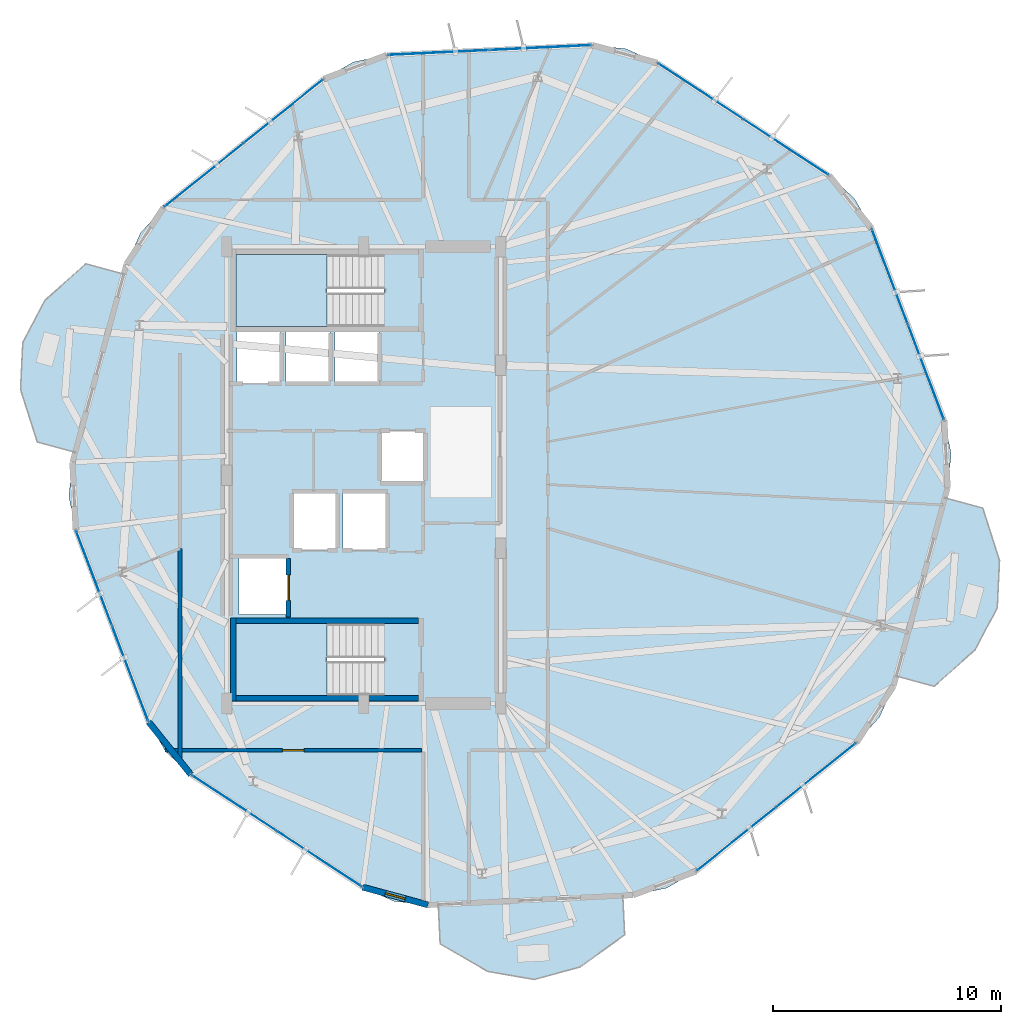
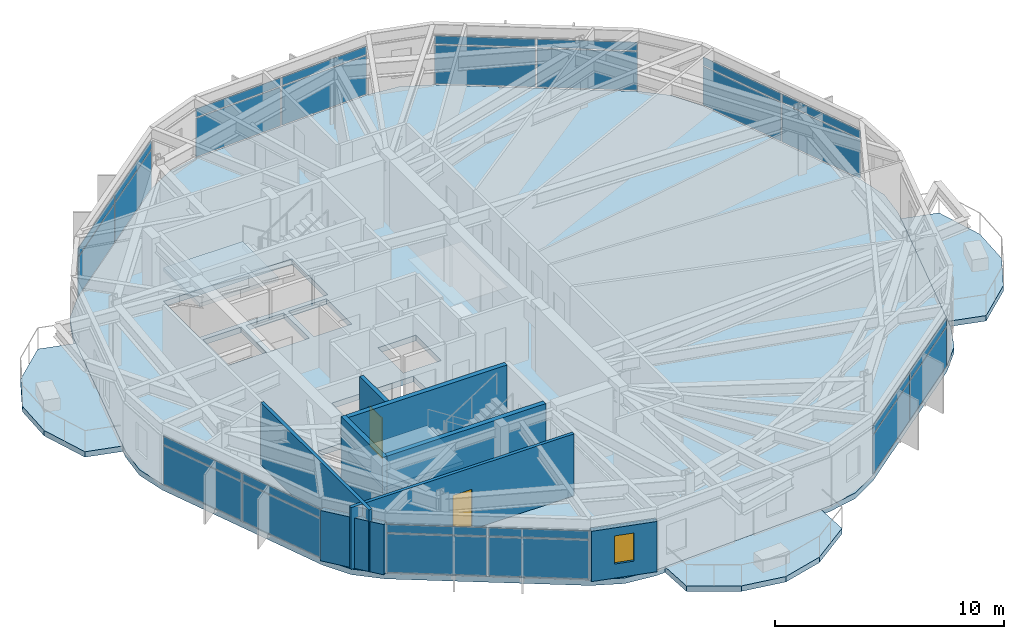
# One storey, part 17 of 23: 28 plates, 8 walls, 6 slabs, 2 doors, 1 window, 3 openings, 9 elements without a shape of their own.
"""IFC4 building model written with IfcOpenShell, lengths in metres."""

from ifc_helpers import new_model, si_unit, direction, frame, frame_2d, origin, origin_2d, place, context, subcontext, project, spatial, polyline, rectangle, outline, extrude, material, layer, layer_set, type_object, element, fill, aggregate, save


model = new_model("IFC4")

# Units and contexts
model_context = context("Model", 3, precision=1e-05, world=origin(), true_north=direction((0.0, 1.0)))
body_context = subcontext(model_context, "Body", "Model", "MODEL_VIEW")
ifc_project = project(units=[si_unit("LENGTHUNIT", "METRE"), si_unit("AREAUNIT", "SQUARE_METRE"), si_unit("VOLUMEUNIT", "CUBIC_METRE"), si_unit("PLANEANGLEUNIT", "RADIAN"), si_unit("MASSUNIT", "GRAM", prefix="KILO")], contexts=[model_context])

# Site, building, storey
site_placement = place(None, origin())
site = spatial("IfcSite", under=ifc_project, at=site_placement, CompositionType="ELEMENT")
building_placement = place(site_placement, origin())
building = spatial("IfcBuilding", under=site, at=building_placement, Name="Soratama Intermodal Tower", CompositionType="ELEMENT")
storey_placement = place(building_placement, frame((0.0, 0.0, 175.0)))
storey = spatial("IfcBuildingStorey", under=building, at=storey_placement, Name="L43", CompositionType="ELEMENT", Elevation=175.0)

# Curtain wall, plates
ifc_material_1 = material(Name="Double-glazed aluminium curtain wall", Category="aluminium")
ifc_layer_1 = layer(ifc_material_1, 0.159912109375)
ifc_layer_set_1 = layer_set([ifc_layer_1], Name="Double-glazed aluminium curtain wall")
curtain_wall_type = type_object("IfcCurtainWallType", Name="CW-SYS-4", PredefinedType="NOTDEFINED", material=ifc_layer_set_1)
curtain_wall_1_placement = place(storey_placement, origin())
curtain_wall_1 = element("IfcCurtainWall", 1, at=curtain_wall_1_placement, inside=storey, type_object=curtain_wall_type, Name="L43 Faceted Curtain Wall F01", PredefinedType="NOTDEFINED")
ifc_material_2 = material(Name="Low-E laminated double glazing", Category="glass")
ifc_layer_2 = layer(ifc_material_2, 0.02392578125)
ifc_layer_set_2 = layer_set([ifc_layer_2], Name="Low-E laminated double glazing")
plate_type = type_object("IfcPlateType", Name="PT-CWP-4", PredefinedType="CURTAIN_PANEL", material=ifc_layer_set_2)
plate_1_placement = place(storey_placement, frame((57.0771484375, 39.356689453125, 0.06005859375), z_axis=(0.0, 0.0, 1.0), x_axis=(-0.836385304133, 0.548141973426, 0.0)))
plate_1 = element("IfcPlate", 2, at=plate_1_placement, type_object=plate_type, Name="CW-4 panel 1.1", PredefinedType="CURTAIN_PANEL", context=body_context, shape_type="SweptSolid", body=[
    extrude(rectangle(XDim=4.40283203125, YDim=0.028076171875, at=origin_2d()), origin(), (0.0, 0.0, 1.0), 2.06005859375),
])
plate_2_placement = place(storey_placement, frame((57.0771484375, 39.356689453125, 2.179931640625), z_axis=(0.0, 0.0, 1.0), x_axis=(-0.836385304133, 0.548141973426, 0.0)))
plate_2 = element("IfcPlate", 3, at=plate_2_placement, type_object=plate_type, Name="CW-4 panel 1.2", PredefinedType="CURTAIN_PANEL", context=body_context, shape_type="SweptSolid", body=[
    extrude(rectangle(XDim=4.40283203125, YDim=0.028076171875, at=origin_2d()), origin(), (0.0, 0.0, 1.0), 0.43896484375),
])
plate_3_placement = place(storey_placement, frame((53.34423828125, 41.802978515625, 0.06005859375), z_axis=(0.0, 0.0, 1.0), x_axis=(-0.836385304133, 0.548141973426, 0.0)))
plate_3 = element("IfcPlate", 4, at=plate_3_placement, type_object=plate_type, Name="CW-4 panel 2.1", PredefinedType="CURTAIN_PANEL", context=body_context, shape_type="SweptSolid", body=[
    extrude(rectangle(XDim=4.40283203125, YDim=0.028076171875, at=origin_2d()), origin(), (0.0, 0.0, 1.0), 2.06005859375),
])
plate_4_placement = place(storey_placement, frame((53.34423828125, 41.802978515625, 2.179931640625), z_axis=(0.0, 0.0, 1.0), x_axis=(-0.836385304133, 0.548141973426, 0.0)))
plate_4 = element("IfcPlate", 5, at=plate_4_placement, type_object=plate_type, Name="CW-4 panel 2.2", PredefinedType="CURTAIN_PANEL", context=body_context, shape_type="SweptSolid", body=[
    extrude(rectangle(XDim=4.40283203125, YDim=0.028076171875, at=origin_2d()), origin(), (0.0, 0.0, 1.0), 0.43896484375),
])
aggregate(curtain_wall_1, [plate_1, plate_2, plate_3, plate_4])

curtain_wall_2_placement = place(storey_placement, origin())
curtain_wall_2 = element("IfcCurtainWall", 6, at=curtain_wall_2_placement, inside=storey, type_object=curtain_wall_type, Name="L43 Faceted Curtain Wall F02", PredefinedType="NOTDEFINED")
plate_5_placement = place(storey_placement, frame((46.331787109375, 43.713623046875, 0.06005859375), z_axis=(0.0, 0.0, 1.0), x_axis=(-0.998839915544, -0.048154159913, 0.0)))
plate_5 = element("IfcPlate", 7, at=plate_5_placement, type_object=plate_type, Name="CW-4 panel 1.1", PredefinedType="CURTAIN_PANEL", context=body_context, shape_type="SweptSolid", body=[
    extrude(rectangle(XDim=4.40283203125, YDim=0.028076171875, at=origin_2d()), origin(), (0.0, 0.0, 1.0), 2.06005859375),
])
plate_6_placement = place(storey_placement, frame((46.331787109375, 43.713623046875, 2.179931640625), z_axis=(0.0, 0.0, 1.0), x_axis=(-0.998839915544, -0.048154159913, 0.0)))
plate_6 = element("IfcPlate", 8, at=plate_6_placement, type_object=plate_type, Name="CW-4 panel 1.2", PredefinedType="CURTAIN_PANEL", context=body_context, shape_type="SweptSolid", body=[
    extrude(rectangle(XDim=4.40283203125, YDim=0.028076171875, at=origin_2d()), origin(), (0.0, 0.0, 1.0), 0.43896484375),
])
plate_7_placement = place(storey_placement, frame((41.874267578125, 43.49853515625, 0.06005859375), z_axis=(0.0, 0.0, 1.0), x_axis=(-0.998839915544, -0.048154159913, 0.0)))
plate_7 = element("IfcPlate", 9, at=plate_7_placement, type_object=plate_type, Name="CW-4 panel 2.1", PredefinedType="CURTAIN_PANEL", context=body_context, shape_type="SweptSolid", body=[
    extrude(rectangle(XDim=4.40283203125, YDim=0.028076171875, at=origin_2d()), origin(), (0.0, 0.0, 1.0), 2.06005859375),
])
plate_8_placement = place(storey_placement, frame((41.874267578125, 43.49853515625, 2.179931640625), z_axis=(0.0, 0.0, 1.0), x_axis=(-0.998839915544, -0.048154159913, 0.0)))
plate_8 = element("IfcPlate", 10, at=plate_8_placement, type_object=plate_type, Name="CW-4 panel 2.2", PredefinedType="CURTAIN_PANEL", context=body_context, shape_type="SweptSolid", body=[
    extrude(rectangle(XDim=4.40283203125, YDim=0.028076171875, at=origin_2d()), origin(), (0.0, 0.0, 1.0), 0.43896484375),
])
aggregate(curtain_wall_2, [plate_5, plate_6, plate_7, plate_8])

curtain_wall_3_placement = place(storey_placement, origin())
curtain_wall_3 = element("IfcCurtainWall", 11, at=curtain_wall_3_placement, inside=storey, type_object=curtain_wall_type, Name="L43 Faceted Curtain Wall F03", PredefinedType="NOTDEFINED")
plate_9_placement = place(storey_placement, frame((35.077880859375, 40.92236328125, 0.06005859375), z_axis=(0.0, 0.0, 1.0), x_axis=(-0.779777549938, -0.626056684823, 0.0)))
plate_9 = element("IfcPlate", 12, at=plate_9_placement, type_object=plate_type, Name="CW-4 panel 1.1", PredefinedType="CURTAIN_PANEL", context=body_context, shape_type="SweptSolid", body=[
    extrude(rectangle(XDim=4.40283203125, YDim=0.028076171875, at=origin_2d()), origin(), (0.0, 0.0, 1.0), 2.06005859375),
])
plate_10_placement = place(storey_placement, frame((35.077880859375, 40.92236328125, 2.179931640625), z_axis=(0.0, 0.0, 1.0), x_axis=(-0.779777549938, -0.626056684823, 0.0)))
plate_10 = element("IfcPlate", 13, at=plate_10_placement, type_object=plate_type, Name="CW-4 panel 1.2", PredefinedType="CURTAIN_PANEL", context=body_context, shape_type="SweptSolid", body=[
    extrude(rectangle(XDim=4.40283203125, YDim=0.028076171875, at=origin_2d()), origin(), (0.0, 0.0, 1.0), 0.43896484375),
])
plate_11_placement = place(storey_placement, frame((31.597900390625, 38.12841796875, 0.06005859375), z_axis=(0.0, 0.0, 1.0), x_axis=(-0.779777549938, -0.626056684823, 0.0)))
plate_11 = element("IfcPlate", 14, at=plate_11_placement, type_object=plate_type, Name="CW-4 panel 2.1", PredefinedType="CURTAIN_PANEL", context=body_context, shape_type="SweptSolid", body=[
    extrude(rectangle(XDim=4.40283203125, YDim=0.028076171875, at=origin_2d()), origin(), (0.0, 0.0, 1.0), 2.06005859375),
])
plate_12_placement = place(storey_placement, frame((31.597900390625, 38.12841796875, 2.179931640625), z_axis=(0.0, 0.0, 1.0), x_axis=(-0.779777549938, -0.626056684823, 0.0)))
plate_12 = element("IfcPlate", 15, at=plate_12_placement, type_object=plate_type, Name="CW-4 panel 2.2", PredefinedType="CURTAIN_PANEL", context=body_context, shape_type="SweptSolid", body=[
    extrude(rectangle(XDim=4.40283203125, YDim=0.028076171875, at=origin_2d()), origin(), (0.0, 0.0, 1.0), 0.43896484375),
])
aggregate(curtain_wall_3, [plate_9, plate_10, plate_11, plate_12])

curtain_wall_4_placement = place(storey_placement, origin())
curtain_wall_4 = element("IfcCurtainWall", 16, at=curtain_wall_4_placement, inside=storey, type_object=curtain_wall_type, Name="L43 Faceted Curtain Wall F05", PredefinedType="NOTDEFINED")
plate_13_placement = place(storey_placement, frame((26.790771484375, 20.48388671875, 0.06005859375), z_axis=(0.0, 0.0, 1.0), x_axis=(0.354461659972, -0.935070549002, 0.0)))
plate_13 = element("IfcPlate", 17, at=plate_13_placement, type_object=plate_type, Name="CW-4 panel 1.1", PredefinedType="CURTAIN_PANEL", context=body_context, shape_type="SweptSolid", body=[
    extrude(rectangle(XDim=4.40283203125, YDim=0.028076171875, at=origin_2d()), origin(), (0.0, 0.0, 1.0), 2.06005859375),
])
plate_14_placement = place(storey_placement, frame((26.790771484375, 20.48388671875, 2.179931640625), z_axis=(0.0, 0.0, 1.0), x_axis=(0.354461659972, -0.935070549002, 0.0)))
plate_14 = element("IfcPlate", 18, at=plate_14_placement, type_object=plate_type, Name="CW-4 panel 1.2", PredefinedType="CURTAIN_PANEL", context=body_context, shape_type="SweptSolid", body=[
    extrude(rectangle(XDim=4.40283203125, YDim=0.028076171875, at=origin_2d()), origin(), (0.0, 0.0, 1.0), 0.43896484375),
])
plate_15_placement = place(storey_placement, frame((28.372802734375, 16.310791015625, 0.06005859375), z_axis=(0.0, 0.0, 1.0), x_axis=(0.354461659972, -0.935070549002, 0.0)))
plate_15 = element("IfcPlate", 19, at=plate_15_placement, type_object=plate_type, Name="CW-4 panel 2.1", PredefinedType="CURTAIN_PANEL", context=body_context, shape_type="SweptSolid", body=[
    extrude(rectangle(XDim=4.40283203125, YDim=0.028076171875, at=origin_2d()), origin(), (0.0, 0.0, 1.0), 2.06005859375),
])
plate_16_placement = place(storey_placement, frame((28.372802734375, 16.310791015625, 2.179931640625), z_axis=(0.0, 0.0, 1.0), x_axis=(0.354461659972, -0.935070549002, 0.0)))
plate_16 = element("IfcPlate", 20, at=plate_16_placement, type_object=plate_type, Name="CW-4 panel 2.2", PredefinedType="CURTAIN_PANEL", context=body_context, shape_type="SweptSolid", body=[
    extrude(rectangle(XDim=4.40283203125, YDim=0.028076171875, at=origin_2d()), origin(), (0.0, 0.0, 1.0), 0.43896484375),
])
aggregate(curtain_wall_4, [plate_13, plate_14, plate_15, plate_16])

curtain_wall_5_placement = place(storey_placement, origin())
curtain_wall_5 = element("IfcCurtainWall", 21, at=curtain_wall_5_placement, inside=storey, type_object=curtain_wall_type, Name="L43 Faceted Curtain Wall F06", PredefinedType="NOTDEFINED")
plate_17_placement = place(storey_placement, frame((32.9228515625, 10.643310546875, 0.06005859375), z_axis=(0.0, 0.0, 1.0), x_axis=(0.836385304133, -0.548141973426, 0.0)))
plate_17 = element("IfcPlate", 22, at=plate_17_placement, type_object=plate_type, Name="CW-4 panel 1.1", PredefinedType="CURTAIN_PANEL", context=body_context, shape_type="SweptSolid", body=[
    extrude(rectangle(XDim=4.40283203125, YDim=0.028076171875, at=origin_2d()), origin(), (0.0, 0.0, 1.0), 2.06005859375),
])
plate_18_placement = place(storey_placement, frame((32.9228515625, 10.643310546875, 2.179931640625), z_axis=(0.0, 0.0, 1.0), x_axis=(0.836385304133, -0.548141973426, 0.0)))
plate_18 = element("IfcPlate", 23, at=plate_18_placement, type_object=plate_type, Name="CW-4 panel 1.2", PredefinedType="CURTAIN_PANEL", context=body_context, shape_type="SweptSolid", body=[
    extrude(rectangle(XDim=4.40283203125, YDim=0.028076171875, at=origin_2d()), origin(), (0.0, 0.0, 1.0), 0.43896484375),
])
plate_19_placement = place(storey_placement, frame((36.65576171875, 8.197021484375, 0.06005859375), z_axis=(0.0, 0.0, 1.0), x_axis=(0.836385304133, -0.548141973426, 0.0)))
plate_19 = element("IfcPlate", 24, at=plate_19_placement, type_object=plate_type, Name="CW-4 panel 2.1", PredefinedType="CURTAIN_PANEL", context=body_context, shape_type="SweptSolid", body=[
    extrude(rectangle(XDim=4.40283203125, YDim=0.028076171875, at=origin_2d()), origin(), (0.0, 0.0, 1.0), 2.06005859375),
])
plate_20_placement = place(storey_placement, frame((36.65576171875, 8.197021484375, 2.179931640625), z_axis=(0.0, 0.0, 1.0), x_axis=(0.836385304133, -0.548141973426, 0.0)))
plate_20 = element("IfcPlate", 25, at=plate_20_placement, type_object=plate_type, Name="CW-4 panel 2.2", PredefinedType="CURTAIN_PANEL", context=body_context, shape_type="SweptSolid", body=[
    extrude(rectangle(XDim=4.40283203125, YDim=0.028076171875, at=origin_2d()), origin(), (0.0, 0.0, 1.0), 0.43896484375),
])
aggregate(curtain_wall_5, [plate_17, plate_18, plate_19, plate_20])

curtain_wall_6_placement = place(storey_placement, origin())
curtain_wall_6 = element("IfcCurtainWall", 26, at=curtain_wall_6_placement, inside=storey, type_object=curtain_wall_type, Name="L43 Faceted Curtain Wall F08", PredefinedType="NOTDEFINED")
plate_21_placement = place(storey_placement, frame((54.922119140625, 9.07763671875, 0.06005859375), z_axis=(0.0, 0.0, 1.0), x_axis=(0.779777549938, 0.626056684823, 0.0)))
plate_21 = element("IfcPlate", 27, at=plate_21_placement, type_object=plate_type, Name="CW-4 panel 1.1", PredefinedType="CURTAIN_PANEL", context=body_context, shape_type="SweptSolid", body=[
    extrude(rectangle(XDim=4.40283203125, YDim=0.028076171875, at=origin_2d()), origin(), (0.0, 0.0, 1.0), 2.06005859375),
])
plate_22_placement = place(storey_placement, frame((54.922119140625, 9.07763671875, 2.179931640625), z_axis=(0.0, 0.0, 1.0), x_axis=(0.779777549938, 0.626056684823, 0.0)))
plate_22 = element("IfcPlate", 28, at=plate_22_placement, type_object=plate_type, Name="CW-4 panel 1.2", PredefinedType="CURTAIN_PANEL", context=body_context, shape_type="SweptSolid", body=[
    extrude(rectangle(XDim=4.40283203125, YDim=0.028076171875, at=origin_2d()), origin(), (0.0, 0.0, 1.0), 0.43896484375),
])
plate_23_placement = place(storey_placement, frame((58.402099609375, 11.87158203125, 0.06005859375), z_axis=(0.0, 0.0, 1.0), x_axis=(0.779777549938, 0.626056684823, 0.0)))
plate_23 = element("IfcPlate", 29, at=plate_23_placement, type_object=plate_type, Name="CW-4 panel 2.1", PredefinedType="CURTAIN_PANEL", context=body_context, shape_type="SweptSolid", body=[
    extrude(rectangle(XDim=4.40283203125, YDim=0.028076171875, at=origin_2d()), origin(), (0.0, 0.0, 1.0), 2.06005859375),
])
plate_24_placement = place(storey_placement, frame((58.402099609375, 11.87158203125, 2.179931640625), z_axis=(0.0, 0.0, 1.0), x_axis=(0.779777549938, 0.626056684823, 0.0)))
plate_24 = element("IfcPlate", 30, at=plate_24_placement, type_object=plate_type, Name="CW-4 panel 2.2", PredefinedType="CURTAIN_PANEL", context=body_context, shape_type="SweptSolid", body=[
    extrude(rectangle(XDim=4.40283203125, YDim=0.028076171875, at=origin_2d()), origin(), (0.0, 0.0, 1.0), 0.43896484375),
])
aggregate(curtain_wall_6, [plate_21, plate_22, plate_23, plate_24])

curtain_wall_7_placement = place(storey_placement, origin())
curtain_wall_7 = element("IfcCurtainWall", 31, at=curtain_wall_7_placement, inside=storey, type_object=curtain_wall_type, Name="L43 Faceted Curtain Wall F10", PredefinedType="NOTDEFINED")
plate_25_placement = place(storey_placement, frame((63.209228515625, 29.51611328125, 0.06005859375), z_axis=(0.0, 0.0, 1.0), x_axis=(-0.354461659972, 0.935070549002, 0.0)))
plate_25 = element("IfcPlate", 32, at=plate_25_placement, type_object=plate_type, Name="CW-4 panel 1.1", PredefinedType="CURTAIN_PANEL", context=body_context, shape_type="SweptSolid", body=[
    extrude(rectangle(XDim=4.40283203125, YDim=0.028076171875, at=origin_2d()), origin(), (0.0, 0.0, 1.0), 2.06005859375),
])
plate_26_placement = place(storey_placement, frame((63.209228515625, 29.51611328125, 2.179931640625), z_axis=(0.0, 0.0, 1.0), x_axis=(-0.354461659972, 0.935070549002, 0.0)))
plate_26 = element("IfcPlate", 33, at=plate_26_placement, type_object=plate_type, Name="CW-4 panel 1.2", PredefinedType="CURTAIN_PANEL", context=body_context, shape_type="SweptSolid", body=[
    extrude(rectangle(XDim=4.40283203125, YDim=0.028076171875, at=origin_2d()), origin(), (0.0, 0.0, 1.0), 0.43896484375),
])
plate_27_placement = place(storey_placement, frame((61.627197265625, 33.689208984375, 0.06005859375), z_axis=(0.0, 0.0, 1.0), x_axis=(-0.354461659972, 0.935070549002, 0.0)))
plate_27 = element("IfcPlate", 34, at=plate_27_placement, type_object=plate_type, Name="CW-4 panel 2.1", PredefinedType="CURTAIN_PANEL", context=body_context, shape_type="SweptSolid", body=[
    extrude(rectangle(XDim=4.40283203125, YDim=0.028076171875, at=origin_2d()), origin(), (0.0, 0.0, 1.0), 2.06005859375),
])
plate_28_placement = place(storey_placement, frame((61.627197265625, 33.689208984375, 2.179931640625), z_axis=(0.0, 0.0, 1.0), x_axis=(-0.354461659972, 0.935070549002, 0.0)))
plate_28 = element("IfcPlate", 35, at=plate_28_placement, type_object=plate_type, Name="CW-4 panel 2.2", PredefinedType="CURTAIN_PANEL", context=body_context, shape_type="SweptSolid", body=[
    extrude(rectangle(XDim=4.40283203125, YDim=0.028076171875, at=origin_2d()), origin(), (0.0, 0.0, 1.0), 0.43896484375),
])
aggregate(curtain_wall_7, [plate_25, plate_26, plate_27, plate_28])

# Slabs
ifc_material_3 = material(Name="Concrete f'c 42 MPa", Category="concrete")
ifc_layer_3 = layer(ifc_material_3, 0.2900390625)
ifc_layer_set_3 = layer_set([ifc_layer_3], Name="Concrete f'c 42 MPa")
slab_type_1 = type_object("IfcSlabType", Name="SL-EXT-BAL2", PredefinedType="FLOOR", material=ifc_layer_set_3)
slab_1_placement = place(storey_placement, frame((0.0, 0.0, -0.2900390625)))
element("IfcSlab", 36, at=slab_1_placement, inside=storey, type_object=slab_type_1, Name="L43 Planted Balcony East 1", PredefinedType="FLOOR", context=body_context, shape_type="SweptSolid", body=[
    extrude(outline(polyline([(61.909912109375, 16.202880859375), (64.035400390625, 24.004150390625), (65.69482421875, 23.552001953125), (66.42822265625, 21.257080078125), (66.330078125, 19.188720703125), (65.365478515625, 17.3564453125), (63.5693359375, 15.750732421875), (61.909912109375, 16.202880859375)])), origin(), (0.0, 0.0, 1.0), 0.2900390625),
])
slab_2_placement = place(storey_placement, frame((0.0, 0.0, -0.2900390625)))
element("IfcSlab", 37, at=slab_2_placement, inside=storey, type_object=slab_type_1, Name="L43 Planted Balcony West 2", PredefinedType="FLOOR", context=body_context, shape_type="SweptSolid", body=[
    extrude(outline(polyline([(28.090087890625, 33.797119140625), (25.964599609375, 25.995849609375), (24.30517578125, 26.447998046875), (23.57177734375, 28.742919921875), (23.669921875, 30.811279296875), (24.634521484375, 32.6435546875), (26.4306640625, 34.249267578125), (28.090087890625, 33.797119140625)])), origin(), (0.0, 0.0, 1.0), 0.2900390625),
])
slab_3_placement = place(storey_placement, frame((0.0, 0.0, -0.2900390625)))
element("IfcSlab", 38, at=slab_3_placement, inside=storey, type_object=slab_type_1, Name="L43 Planted Balcony South 3", PredefinedType="FLOOR", context=body_context, shape_type="SweptSolid", body=[
    extrude(outline(polyline([(41.85888671875, 6.19921875), (49.93505859375, 6.588623046875), (50.017822265625, 4.87060546875), (48.06201171875, 3.4638671875), (46.064453125, 2.91796875), (44.023681640625, 3.269287109375), (41.941650390625, 4.481201171875), (41.85888671875, 6.19921875)])), origin(), (0.0, 0.0, 1.0), 0.2900390625),
])

# Stair, slab
ifc_material_4 = material(Name="Concrete f'c 42 MPa", Category="concrete")
stair_type = type_object("IfcStairType", Name="ST-CORE-DOGLEG", PredefinedType="HALF_TURN_STAIR", material=ifc_material_4)
stair_1_placement = place(storey_placement, origin())
stair_1 = element("IfcStair", 39, at=stair_1_placement, inside=storey, type_object=stair_type, Name="L43 ST-1", PredefinedType="HALF_TURN_STAIR")
ifc_material_5 = material(Name="Concrete f'c 42 MPa", Category="concrete")
ifc_layer_4 = layer(ifc_material_5, 0.219970703125)
ifc_layer_set_4 = layer_set([ifc_layer_4], Name="Concrete f'c 42 MPa")
slab_type_2 = type_object("IfcSlabType", Name="SL-STAIR-LAND", PredefinedType="LANDING", material=ifc_layer_set_4)
slab_4_placement = place(storey_placement, frame((0.0, 0.0, 1.60009765625)))
slab_4 = element("IfcSlab", 40, at=slab_4_placement, type_object=slab_type_2, Name="ST-1 landing 1", PredefinedType="LANDING", context=body_context, shape_type="SweptSolid", body=[
    extrude(outline(polyline([(36.97998046875, 18.5), (33.0, 18.5), (33.0, 15.35009765625), (36.97998046875, 15.35009765625), (36.97998046875, 18.5)])), origin(), (0.0, 0.0, 1.0), 0.199951171875),
])
aggregate(stair_1, [slab_4])

stair_2_placement = place(storey_placement, origin())
stair_2 = element("IfcStair", 41, at=stair_2_placement, inside=storey, type_object=stair_type, Name="L43 ST-2", PredefinedType="HALF_TURN_STAIR")
slab_5_placement = place(storey_placement, frame((0.0, 0.0, 1.60009765625)))
slab_5 = element("IfcSlab", 42, at=slab_5_placement, type_object=slab_type_2, Name="ST-2 landing 1", PredefinedType="LANDING", context=body_context, shape_type="SweptSolid", body=[
    extrude(outline(polyline([(36.97998046875, 34.64990234375), (33.0, 34.64990234375), (33.0, 31.5), (36.97998046875, 31.5), (36.97998046875, 34.64990234375)])), origin(), (0.0, 0.0, 1.0), 0.199951171875),
])
aggregate(stair_2, [slab_5])

# Slab
ifc_material_6 = material(Name="Concrete f'c 42 MPa", Category="concrete")
ifc_layer_5 = layer(ifc_material_6, 0.280029296875)
ifc_layer_set_5 = layer_set([ifc_layer_5], Name="Concrete f'c 42 MPa")
slab_type_3 = type_object("IfcSlabType", Name="SL-TWR-280", PredefinedType="FLOOR", material=ifc_layer_set_5)
slab_6_placement = place(storey_placement, frame((0.0, 0.0, -0.300048828125)))
element("IfcSlab", 43, at=slab_6_placement, inside=storey, type_object=slab_type_3, Name="L43 Structural Floor Slab", PredefinedType="FLOOR", context=body_context, shape_type="SweptSolid", body=[
    extrude(outline(polyline([(60.82568359375, 35.8037109375), (60.080322265625, 37.107421875), (58.968505859375, 38.1171875), (51.452880859375, 43.04248046875), (50.08349609375, 43.6591796875), (48.5908203125, 43.822509765625), (39.615478515625, 43.3896484375), (38.14501953125, 43.08349609375), (36.84130859375, 42.338134765625), (29.83447265625, 36.712646484375), (28.824951171875, 35.600830078125), (28.20849609375, 34.2314453125), (25.846435546875, 25.5615234375), (25.68310546875, 24.06884765625), (25.9892578125, 22.598388671875), (29.17431640625, 14.1962890625), (29.919677734375, 12.892578125), (31.031494140625, 11.8828125), (38.547119140625, 6.95751953125), (39.91650390625, 6.3408203125), (41.4091796875, 6.177490234375), (50.384521484375, 6.6103515625), (51.85498046875, 6.91650390625), (53.15869140625, 7.661865234375), (60.16552734375, 13.287353515625), (61.175048828125, 14.399169921875), (61.79150390625, 15.7685546875), (64.153564453125, 24.4384765625), (64.31689453125, 25.93115234375), (64.0107421875, 27.401611328125), (60.82568359375, 35.8037109375)]), holes=[polyline([(33.0, 18.5), (33.0, 15.35009765625), (39.47509765625, 15.35009765625), (39.47509765625, 18.5), (33.0, 18.5)]), polyline([(35.260009765625, 21.409912109375), (33.139892578125, 21.409912109375), (33.139892578125, 18.889892578125), (35.260009765625, 18.889892578125), (35.260009765625, 21.409912109375)]), polyline([(37.409912109375, 24.260009765625), (35.489990234375, 24.260009765625), (35.489990234375, 21.739990234375), (37.409912109375, 21.739990234375), (37.409912109375, 24.260009765625)]), polyline([(39.610107421875, 24.260009765625), (37.68994140625, 24.260009765625), (37.68994140625, 21.739990234375), (39.610107421875, 21.739990234375), (39.610107421875, 24.260009765625)]), polyline([(41.260009765625, 26.909912109375), (39.340087890625, 26.909912109375), (39.340087890625, 24.68994140625), (41.260009765625, 24.68994140625), (41.260009765625, 26.909912109375)]), polyline([(34.9599609375, 31.260009765625), (33.0400390625, 31.260009765625), (33.0400390625, 29.0400390625), (34.9599609375, 29.0400390625), (34.9599609375, 31.260009765625)]), polyline([(37.110107421875, 31.260009765625), (35.18994140625, 31.260009765625), (35.18994140625, 29.0400390625), (37.110107421875, 29.0400390625), (37.110107421875, 31.260009765625)]), polyline([(39.260009765625, 29.0400390625), (39.260009765625, 31.260009765625), (37.340087890625, 31.260009765625), (37.340087890625, 29.0400390625), (39.260009765625, 29.0400390625)]), polyline([(39.47509765625, 34.64990234375), (33.0, 34.64990234375), (33.0, 31.5), (39.47509765625, 31.5), (39.47509765625, 34.64990234375)])]), origin(), (0.0, 0.0, 1.0), 0.300048828125),
])

# Wall
ifc_material_7 = material(Name="Concrete f'c 42 MPa", Category="concrete")
ifc_layer_6 = layer(ifc_material_7, 0.27001953125)
ifc_layer_set_6 = layer_set([ifc_layer_6], Name="Concrete f'c 42 MPa")
wall_type_1 = type_object("IfcWallType", Name="EW-CRN-270", PredefinedType="SOLIDWALL", material=ifc_layer_set_6)
wall_1_placement = place(storey_placement, frame((29.17431640625, 14.1962890625, 0.0), z_axis=(0.0, 0.0, 1.0), x_axis=(0.626008855635, -0.779815947943, 0.0)))
element("IfcWall", 44, at=wall_1_placement, inside=storey, type_object=wall_type_1, Name="L43 Corner Closure Wall 05", PredefinedType="SOLIDWALL", context=body_context, shape_type="SweptSolid", body=[
    extrude(rectangle(XDim=2.966796875, YDim=0.27001953125, at=frame_2d((1.4833984375, 0.0))), origin(), (0.0, 0.0, 1.0), 2.678955078125),
])

# Wall, opening, window
wall_2_placement = place(storey_placement, frame((38.547119140625, 6.95751953125, 0.0), z_axis=(0.0, 0.0, 1.0), x_axis=(0.964809388606, -0.262950268412, 0.0)))
wall_2 = element("IfcWall", 45, at=wall_2_placement, inside=storey, type_object=wall_type_1, Name="L43 Corner Closure Wall 06", PredefinedType="SOLIDWALL", context=body_context, shape_type="SweptSolid", body=[
    extrude(rectangle(XDim=2.966552734375, YDim=0.27001953125, at=frame_2d((1.4833984375, 0.0))), origin(), (0.0, 0.0, 1.0), 2.678955078125),
])
opening_1_placement = place(wall_2_placement, frame((1.033203125, 0.0, 0.75)))
opening_1 = element("IfcOpeningElement", 46, at=opening_1_placement, cuts=wall_2, Name="Opening WN-6", PredefinedType="OPENING", context=body_context, shape_type="SweptSolid", body=[
    extrude(rectangle(XDim=0.89990234375, YDim=1.5, at=frame_2d((0.449951171875, 0.75))), frame((0.0, 0.14501953125, 0.0), z_axis=(0.0, -1.0, 0.0), x_axis=(1.0, 0.0, 0.0)), (0.0, 0.0, 1.0), 0.2900390625),
])
ifc_material_8 = material(Name="Double-glazed aluminium window", Category="aluminium")
window_type = type_object("IfcWindowType", Name="WN-FAC-900", PartitioningType="SINGLE_PANEL", PredefinedType="WINDOW", material=ifc_material_8)
window_placement = place(opening_1_placement, origin())
window = element("IfcWindow", 47, at=window_placement, inside=storey, type_object=window_type, Name="L43 Corner Window 06", OverallHeight=1.5, OverallWidth=0.89990234375, PartitioningType="SINGLE_PANEL", PredefinedType="WINDOW", context=body_context, shape_type="SweptSolid", body=[
    extrude(rectangle(XDim=0.89990234375, YDim=1.5, at=frame_2d((0.449951171875, 0.75))), frame((0.0, 0.030029296875, 0.0), z_axis=(0.0, -1.0, 0.0), x_axis=(1.0, 0.0, 0.0)), (0.0, 0.0, 1.0), 0.06005859375),
])
fill(opening_1, window)

# Wall, opening, door
ifc_material_9 = material(Name="Fire-rated gypsum stud partition", Category="concrete")
ifc_layer_7 = layer(ifc_material_9, 0.159912109375)
ifc_layer_set_7 = layer_set([ifc_layer_7], Name="Fire-rated gypsum stud partition")
wall_type_2 = type_object("IfcWallType", Name="IW-PART-R160", PredefinedType="PARTITIONING", material=ifc_layer_set_7)
wall_3_placement = place(storey_placement, frame((41.1298828125, 12.949951171875, 0.0), z_axis=(0.0, 0.0, 1.0), x_axis=(-1.0, 0.0, 0.0)))
wall_3 = element("IfcWall", 48, at=wall_3_placement, inside=storey, type_object=wall_type_2, Name="L43 Partition W-L43-TP006", PredefinedType="PARTITIONING", context=body_context, shape_type="SweptSolid", body=[
    extrude(rectangle(XDim=11.242919921875, YDim=0.159912109375, at=frame_2d((5.62158203125, 0.0))), origin(), (0.0, 0.0, 1.0), 3.300048828125),
])
opening_2_placement = place(wall_3_placement, frame((5.14697265625, 0.0, 0.0)))
opening_2 = element("IfcOpeningElement", 49, at=opening_2_placement, cuts=wall_3, Name="Opening ID-3", PredefinedType="OPENING", context=body_context, shape_type="SweptSolid", body=[
    extrude(rectangle(XDim=0.949951171875, YDim=2.14990234375, at=frame_2d((0.47509765625, 1.074951171875))), frame((0.0, 0.08984375, 0.0), z_axis=(0.0, -1.0, 0.0), x_axis=(1.0, 0.0, 0.0)), (0.0, 0.0, 1.0), 0.179931640625),
])
ifc_material_10 = material(Name="Solid hardwood acoustic door", Category="wood")
door_type_1 = type_object("IfcDoorType", Name="DR-ROOM-950", OperationType="NOTDEFINED", PredefinedType="DOOR", material=ifc_material_10)
door_1_placement = place(opening_2_placement, origin())
door_1 = element("IfcDoor", 50, at=door_1_placement, inside=storey, type_object=door_type_1, Name="L43 Door D-L43-TP001", OperationType="SINGLE_SWING_RIGHT", OverallHeight=2.14990234375, OverallWidth=0.949951171875, PredefinedType="DOOR", context=body_context, shape_type="SweptSolid", body=[
    extrude(rectangle(XDim=0.949951171875, YDim=2.14990234375, at=frame_2d((0.47509765625, 1.074951171875))), frame((0.0, 0.02490234375, 0.0), z_axis=(0.0, -1.0, 0.0), x_axis=(1.0, 0.0, 0.0)), (0.0, 0.0, 1.0), 0.050048828125),
])
fill(opening_2, door_1)

# Wall
wall_4_placement = place(storey_placement, frame((30.550048828125, 12.320068359375, 0.0), z_axis=(0.0, 0.0, 1.0), x_axis=(0.0, 1.0, 0.0)))
element("IfcWall", 51, at=wall_4_placement, inside=storey, type_object=wall_type_2, Name="L43 Partition W-L43-TP009", PredefinedType="PARTITIONING", context=body_context, shape_type="SweptSolid", body=[
    extrude(rectangle(XDim=9.4580078125, YDim=0.159912109375, at=frame_2d((4.72900390625, 0.0))), origin(), (0.0, 0.0, 1.0), 3.300048828125),
])

# Wall, opening, door
ifc_material_11 = material(Name="Concrete f'c 42 MPa", Category="concrete")
ifc_layer_8 = layer(ifc_material_11, 0.199951171875)
ifc_layer_set_8 = layer_set([ifc_layer_8], Name="Concrete f'c 42 MPa")
wall_type_3 = type_object("IfcWallType", Name="IW-SHAFT-200", PredefinedType="SOLIDWALL", material=ifc_layer_set_8)
wall_5_placement = place(storey_placement, frame((35.300048828125, 18.7900390625, 0.0), z_axis=(0.0, 0.0, 1.0), x_axis=(0.0, 1.0, 0.0)))
wall_5 = element("IfcWall", 52, at=wall_5_placement, inside=storey, type_object=wall_type_3, Name="L43 SVL-1 Hoistway Wall E", PredefinedType="SOLIDWALL", context=body_context, shape_type="SweptSolid", body=[
    extrude(rectangle(XDim=2.550048828125, YDim=0.199951171875, at=frame_2d((1.27490234375, 0.0))), origin(), (0.0, 0.0, 1.0), 3.300048828125),
])
opening_3_placement = place(wall_5_placement, frame((0.72509765625, 0.0, 0.0)))
opening_3 = element("IfcOpeningElement", 53, at=opening_3_placement, cuts=wall_5, Name="Opening LD-1", PredefinedType="OPENING", context=body_context, shape_type="SweptSolid", body=[
    extrude(rectangle(XDim=1.10009765625, YDim=2.14990234375, at=frame_2d((0.550048828125, 1.074951171875))), frame((0.0, 0.10986328125, 0.0), z_axis=(0.0, -1.0, 0.0), x_axis=(1.0, 0.0, 0.0)), (0.0, 0.0, 1.0), 0.219970703125),
])
ifc_material_12 = material(Name="Steel fire door", Category="steel")
door_type_2 = type_object("IfcDoorType", Name="DR-LIFT-SLIDE", OperationType="NOTDEFINED", PredefinedType="DOOR", material=ifc_material_12)
door_2_placement = place(opening_3_placement, origin())
door_2 = element("IfcDoor", 54, at=door_2_placement, inside=storey, type_object=door_type_2, Name="L43 SVL-1 Sliding Landing Door", OperationType="SLIDING_TO_LEFT", OverallHeight=2.14990234375, OverallWidth=1.10009765625, PredefinedType="DOOR", context=body_context, shape_type="SweptSolid", body=[
    extrude(rectangle(XDim=1.10009765625, YDim=2.14990234375, at=frame_2d((0.550048828125, 1.074951171875))), frame((0.0, 0.02490234375, 0.0), z_axis=(0.0, -1.0, 0.0), x_axis=(1.0, 0.0, 0.0)), (0.0, 0.0, 1.0), 0.050048828125),
])
fill(opening_3, door_2)

# Walls
ifc_material_13 = material(Name="Concrete f'c 56 MPa", Category="concrete")
ifc_layer_9 = layer(ifc_material_13, 0.239990234375)
ifc_layer_set_9 = layer_set([ifc_layer_9], Name="Concrete f'c 56 MPa")
wall_type_4 = type_object("IfcWallType", Name="SW-STAIR-240", PredefinedType="SHEAR", material=ifc_layer_set_9)
wall_6_placement = place(storey_placement, frame((32.8798828125, 15.110107421875, 0.0), z_axis=(0.0, 0.0, 1.0), x_axis=(0.0, 1.0, 0.0)))
element("IfcWall", 55, at=wall_6_placement, inside=storey, type_object=wall_type_4, Name="L43 ST-1 Shaft Shear Wall W", PredefinedType="SHEAR", context=body_context, shape_type="SweptSolid", body=[
    extrude(rectangle(XDim=3.6298828125, YDim=0.239990234375, at=frame_2d((1.81494140625, 0.0))), origin(), (0.0, 0.0, 1.0), 3.60009765625),
])
for number, where, z_axis, x_axis, name in (
    (56, (33.0, 15.22998046875, 0.0), (0.0, 0.0, 1.0), (1.0, 0.0, 0.0), "L43 ST-1 Shaft Shear Wall S"),
    (57, (33.0, 18.6201171875, 0.0), (0.0, 0.0, 1.0), (1.0, 0.0, 0.0), "L43 ST-1 Shaft Shear Wall N"),
):
    element("IfcWall", number, at=place(storey_placement, frame(where, z_axis=z_axis, x_axis=x_axis)), inside=storey, type_object=wall_type_4, Name=name, PredefinedType="SHEAR", context=body_context, shape_type="SweptSolid", body=[
        extrude(rectangle(XDim=8.0, YDim=0.239990234375, at=frame_2d((4.0, 0.0))), origin(), (0.0, 0.0, 1.0), 3.60009765625),
    ])

save(model, "model.ifc")
